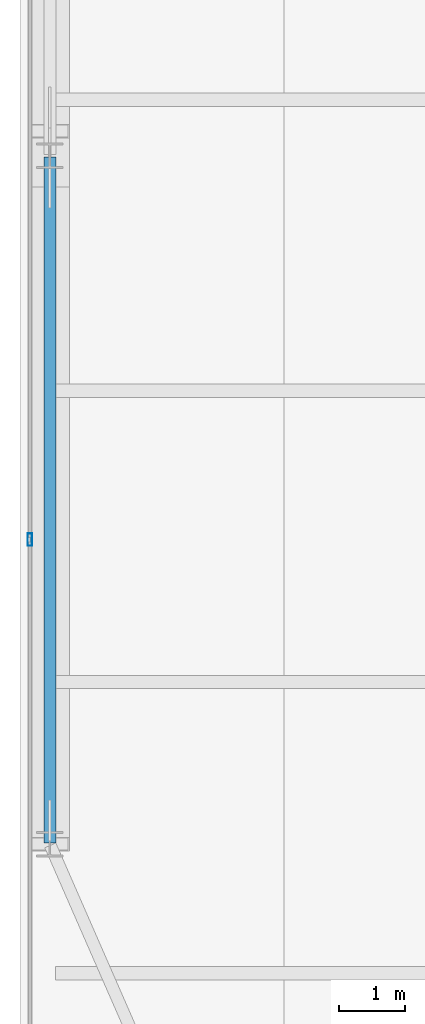
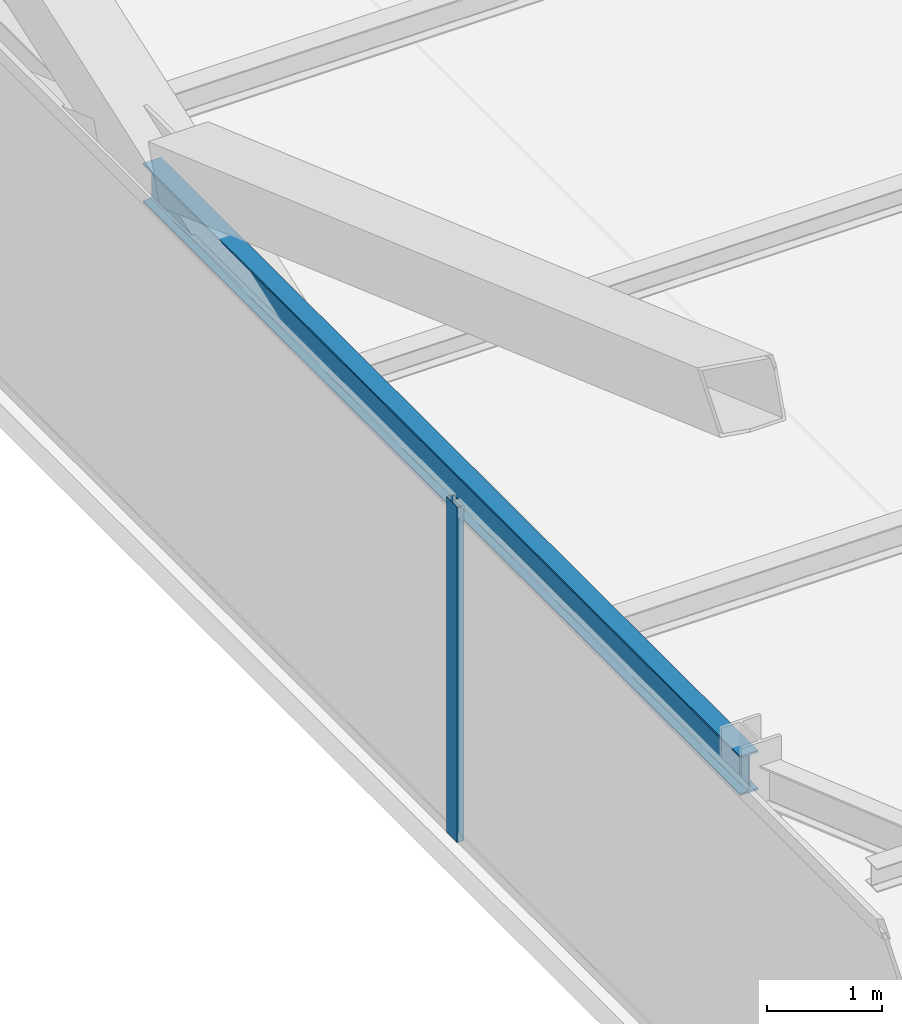
# One storey, part 8 of 35: 1 beam, 1 member, 1 element without a shape of its own.
"""IFC4 building model written with IfcOpenShell, lengths in metres."""

from ifc_helpers import new_model, si_unit, direction, frame, origin, origin_2d, place, context, subcontext, project, spatial, hollow_rectangle, i_section, extrude, source, transform, mapped, material, layer, layer_set, material_profile, profile_set, type_object, type_shapes, element, aggregate, save


model = new_model("IFC4")

# Units and contexts
model_context = context("Model", 3, precision=1e-05, world=origin(), true_north=direction((0.0, 1.0)))
body_context = subcontext(model_context, "Body", "Model", "MODEL_VIEW")
ifc_project = project(units=[si_unit("LENGTHUNIT", "METRE"), si_unit("AREAUNIT", "SQUARE_METRE"), si_unit("VOLUMEUNIT", "CUBIC_METRE"), si_unit("PLANEANGLEUNIT", "RADIAN"), si_unit("MASSUNIT", "GRAM", prefix="KILO")], contexts=[model_context])

# Site, building, storey
site_placement = place(None, origin())
site = spatial("IfcSite", under=ifc_project, at=site_placement, CompositionType="ELEMENT")
building_placement = place(site_placement, origin())
building = spatial("IfcBuilding", under=site, at=building_placement, Name="Varnel Quay Broadcast Tower", CompositionType="ELEMENT")
storey_placement = place(building_placement, frame((0.0, 0.0, 87.0)))
storey = spatial("IfcBuildingStorey", under=building, at=storey_placement, Name="L20", CompositionType="ELEMENT", Elevation=87.0)

# Beam
ifc_material_1 = material(Name="Structural Steel CSA G40.21 350W", Category="steel")
ifc_material_profile_1 = material_profile(ifc_material_1, i_section(OverallWidth=0.180908203125, OverallDepth=0.4169921875, WebThickness=0.010986328125, FlangeThickness=0.018310546875, FilletRadius=0.011962890625, at=origin_2d()), Name="W410X85")
ifc_profile_set_1 = profile_set([ifc_material_profile_1], Name="Structural Steel CSA G40.21 350W")
beam_type = type_object("IfcBeamType", Name="Beam_W410X85", PredefinedType="SPANDREL", material=ifc_profile_set_1)
shared_shape_1 = source(origin(), body_context, "Body", "SweptSolid", [
    extrude(i_section(OverallWidth=0.180908203125, OverallDepth=0.4169921875, WebThickness=0.010986328125, FlangeThickness=0.018310546875, FilletRadius=0.011962890625, at=origin_2d()), origin(), (0.0, 0.0, 1.0), 10.35986328125),
])
type_shapes(beam_type, [shared_shape_1])
beam_placement = place(storey_placement, frame((4.949951171875, 15.02001953125, 3.341552734375), z_axis=(0.0, 1.0, 0.0), x_axis=(-1.0, 0.0, 0.0)))
element("IfcBeam", 1, at=beam_placement, inside=storey, type_object=beam_type, Name="L20 West Spandrel TC-W1-TC-W2", PredefinedType="SPANDREL", context=body_context, shape_type="MappedRepresentation", body=[
    mapped(shared_shape_1, transform((0.0, 0.0, 0.0), x_axis=(1.0, 0.0, 0.0), y_axis=(0.0, 1.0, 0.0), z_axis=(0.0, 0.0, 1.0), scale=1.0)),
])

# Curtain wall, member
ifc_material_2 = material(Name="Anodised Bronze Aluminium 6063-T6", Category="aluminium")
ifc_layer = layer(ifc_material_2, 0.18994140625, Name="Anodised Bronze Aluminium 6063-T6")
ifc_layer_set = layer_set([ifc_layer], Name="Anodised Bronze Aluminium 6063-T6")
curtain_wall_type = type_object("IfcCurtainWallType", Name="CW_LowerTower", PredefinedType="NOTDEFINED", material=ifc_layer_set)
curtain_wall_placement = place(storey_placement, origin())
curtain_wall = element("IfcCurtainWall", 2, at=curtain_wall_placement, inside=storey, type_object=curtain_wall_type, Name="L20 West Unitised Curtain Wall", PredefinedType="NOTDEFINED")
ifc_material_profile_2 = material_profile(ifc_material_2, hollow_rectangle(XDim=0.070068359375, YDim=0.18994140625, WallThickness=0.00390625, at=origin_2d()), Name="ALU70X190X4")
ifc_profile_set_2 = profile_set([ifc_material_profile_2], Name="Anodised Bronze Aluminium 6063-T6")
member_type = type_object("IfcMemberType", Name="Mull_CWS-02", PredefinedType="MULLION", material=ifc_profile_set_2)
shared_shape_2 = source(origin(), body_context, "Body", "SweptSolid", [
    extrude(hollow_rectangle(XDim=0.070068359375, YDim=0.18994140625, WallThickness=0.00390625, at=origin_2d()), origin(), (0.0, 0.0, 1.0), 3.550048828125),
])
type_shapes(member_type, [shared_shape_2])
member_placement = place(storey_placement, frame((4.64990234375, 19.60009765625, 0.0), z_axis=(0.0, 0.0, 1.0), x_axis=(-1.0, 0.0, 0.0)))
member = element("IfcMember", 3, at=member_placement, type_object=member_type, Name="CWS-02 mullion 2", PredefinedType="MULLION", context=body_context, shape_type="MappedRepresentation", body=[
    mapped(shared_shape_2, transform((0.0, 0.0, 0.0), x_axis=(1.0, 0.0, 0.0), y_axis=(0.0, 1.0, 0.0), z_axis=(0.0, 0.0, 1.0), scale=1.0)),
])
aggregate(curtain_wall, [member])

save(model, "model.ifc")
